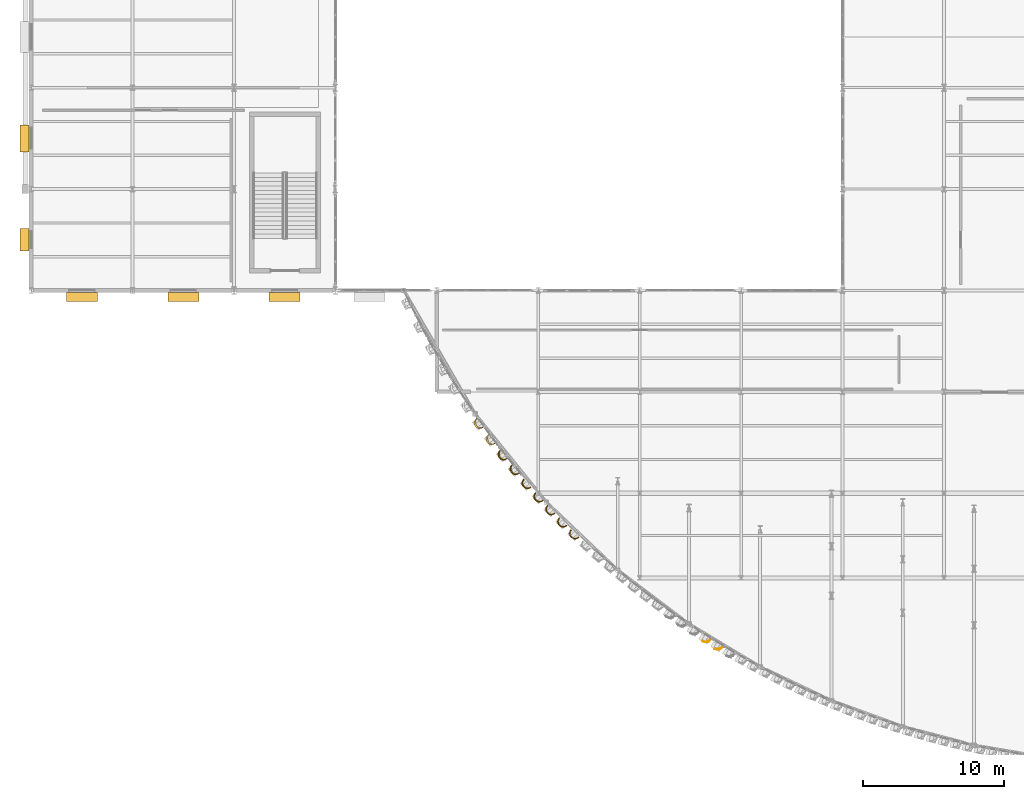
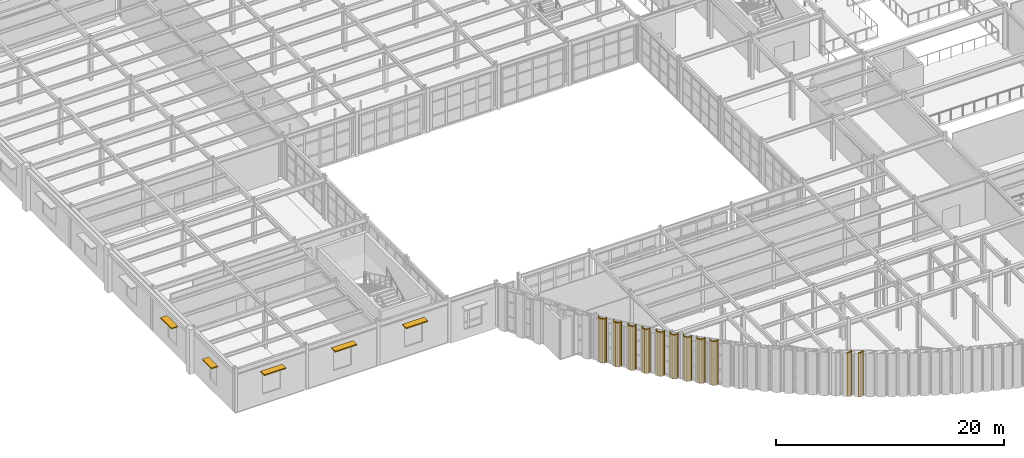
# One storey, part 107 of 121: 11 coverings, 5 shading devices.
"""IFC4 building model written with IfcOpenShell, lengths in metres."""

from ifc_helpers import new_model, si_unit, direction, frame, origin, origin_2d, place, context, subcontext, project, spatial, polyline, rectangle, outline, extrude, material, layer, layer_set, type_object, element, save


model = new_model("IFC4")

# Units and contexts
model_context = context("Model", 3, precision=1e-05, world=origin(), true_north=direction((0.0, 1.0)))
body_context = subcontext(model_context, "Body", "Model", "MODEL_VIEW")
ifc_project = project(units=[si_unit("LENGTHUNIT", "METRE"), si_unit("AREAUNIT", "SQUARE_METRE"), si_unit("VOLUMEUNIT", "CUBIC_METRE"), si_unit("PLANEANGLEUNIT", "RADIAN"), si_unit("MASSUNIT", "GRAM", prefix="KILO")], contexts=[model_context])

# Site, building, storey
site_placement = place(None, origin())
site = spatial("IfcSite", under=ifc_project, at=site_placement, CompositionType="ELEMENT")
building_placement = place(site_placement, origin())
building = spatial("IfcBuilding", under=site, at=building_placement, Name="Solvadek Multi-Sports Hall", CompositionType="ELEMENT")
storey_placement = place(building_placement, frame((0.0, 0.0, 4.800048828125)))
storey = spatial("IfcBuildingStorey", under=building, at=storey_placement, Name="L01", CompositionType="ELEMENT", Elevation=4.800048828125)

# Coverings
ifc_material = material(Name="Perforated champagne-bronze anodised aluminium", Category="aluminium")
ifc_layer = layer(ifc_material, 0.06494140625, Name="Perforated champagne-bronze anodised aluminium")
ifc_layer_set = layer_set([ifc_layer], Name="Perforated champagne-bronze anodised aluminium")
covering_type = type_object("IfcCoveringType", Name="ENV-COV-FLUTED", PredefinedType="CLADDING", material=ifc_layer_set)
covering_1_placement = place(storey_placement, frame((0.0, 0.0, 0.010009765625)))
element("IfcCovering", 1, at=covering_1_placement, inside=storey, type_object=covering_type, Name="L01 Perforated Bronze Half-Cylinder Fluted Shell #13", PredefinedType="CLADDING", context=body_context, shape_type="SweptSolid", body=[
    extrude(outline(polyline([(32.099609375, 10.670654296875), (31.954833984375, 10.602783203125), (31.794921875, 10.59521484375), (31.64453125, 10.649658203125), (31.5263671875, 10.757568359375), (31.45849609375, 10.90234375), (31.450927734375, 11.06201171875), (31.50537109375, 11.212646484375), (31.61328125, 11.330810546875), (31.65185546875, 11.2783203125), (31.589111328125, 11.178955078125), (31.56689453125, 11.052490234375), (31.589111328125, 10.91796875), (31.65185546875, 10.7958984375), (31.74560546875, 10.705322265625), (31.8564453125, 10.65966796875), (31.96728515625, 10.665771484375), (32.06103515625, 10.722900390625), (32.099609375, 10.670654296875)])), origin(), (0.0, 0.0, 1.0), 4.77001953125),
])
covering_2_placement = place(storey_placement, frame((0.0, 0.0, 0.010009765625)))
element("IfcCovering", 2, at=covering_2_placement, inside=storey, type_object=covering_type, Name="L01 Perforated Bronze Half-Cylinder Fluted Shell #14", PredefinedType="CLADDING", context=body_context, shape_type="SweptSolid", body=[
    extrude(outline(polyline([(32.943115234375, 9.52587890625), (32.798095703125, 9.4580078125), (32.638427734375, 9.450439453125), (32.488037109375, 9.5048828125), (32.369873046875, 9.61279296875), (32.3017578125, 9.757568359375), (32.29443359375, 9.917236328125), (32.348876953125, 10.06787109375), (32.456787109375, 10.18603515625), (32.4951171875, 10.133544921875), (32.4326171875, 10.0341796875), (32.410400390625, 9.90771484375), (32.4326171875, 9.773193359375), (32.4951171875, 9.651123046875), (32.589111328125, 9.560546875), (32.699951171875, 9.514892578125), (32.810546875, 9.52099609375), (32.904541015625, 9.578125), (32.943115234375, 9.52587890625)])), origin(), (0.0, 0.0, 1.0), 4.77001953125),
])
covering_3_placement = place(storey_placement, frame((0.0, 0.0, 0.010009765625)))
element("IfcCovering", 3, at=covering_3_placement, inside=storey, type_object=covering_type, Name="L01 Perforated Bronze Half-Cylinder Fluted Shell #17", PredefinedType="CLADDING", context=body_context, shape_type="SweptSolid", body=[
    extrude(outline(polyline([(33.8046875, 8.442626953125), (33.663330078125, 8.367919921875), (33.504150390625, 8.35302734375), (33.351318359375, 8.400146484375), (33.22802734375, 8.502197265625), (33.1533203125, 8.643798828125), (33.138427734375, 8.802978515625), (33.185546875, 8.955810546875), (33.28759765625, 9.0791015625), (33.32861328125, 9.028564453125), (33.261962890625, 8.9248046875), (33.238525390625, 8.79638671875), (33.261962890625, 8.662353515625), (33.32861328125, 8.543212890625), (33.428466796875, 8.45751953125), (33.546142578125, 8.417724609375), (33.6640625, 8.43017578125), (33.763916015625, 8.4931640625), (33.8046875, 8.442626953125)])), origin(), (0.0, 0.0, 1.0), 4.77001953125),
])
covering_4_placement = place(storey_placement, frame((0.0, 0.0, 0.010009765625)))
element("IfcCovering", 4, at=covering_4_placement, inside=storey, type_object=covering_type, Name="L01 Perforated Bronze Half-Cylinder Fluted Shell #18", PredefinedType="CLADDING", context=body_context, shape_type="SweptSolid", body=[
    extrude(outline(polyline([(34.648193359375, 7.40478515625), (34.506591796875, 7.330078125), (34.347412109375, 7.315185546875), (34.194580078125, 7.3623046875), (34.0712890625, 7.464599609375), (33.99658203125, 7.60595703125), (33.981689453125, 7.76513671875), (34.02880859375, 7.91796875), (34.131103515625, 8.041259765625), (34.172119140625, 7.99072265625), (34.105224609375, 7.88720703125), (34.081787109375, 7.758544921875), (34.105224609375, 7.62451171875), (34.172119140625, 7.50537109375), (34.271728515625, 7.419677734375), (34.3896484375, 7.3798828125), (34.50732421875, 7.392333984375), (34.607177734375, 7.455322265625), (34.648193359375, 7.40478515625)])), origin(), (0.0, 0.0, 1.0), 4.77001953125),
])
covering_5_placement = place(storey_placement, frame((0.0, 0.0, 0.010009765625)))
element("IfcCovering", 5, at=covering_5_placement, inside=storey, type_object=covering_type, Name="L01 Perforated Bronze Half-Cylinder Fluted Shell #21", PredefinedType="CLADDING", context=body_context, shape_type="SweptSolid", body=[
    extrude(outline(polyline([(35.508544921875, 6.42041015625), (35.37060546875, 6.339599609375), (35.212158203125, 6.3173828125), (35.05712890625, 6.35791015625), (34.9296875, 6.4541015625), (34.8486328125, 6.59228515625), (34.82666015625, 6.750732421875), (34.866943359375, 6.905517578125), (34.96337890625, 7.033203125), (35.006591796875, 6.984619140625), (34.936279296875, 6.877197265625), (34.91162109375, 6.746826171875), (34.936279296875, 6.613525390625), (35.006591796875, 6.49755859375), (35.11181640625, 6.416259765625), (35.23583984375, 6.38232421875), (35.360107421875, 6.40087890625), (35.46533203125, 6.468994140625), (35.508544921875, 6.42041015625)])), origin(), (0.0, 0.0, 1.0), 4.77001953125),
])
covering_6_placement = place(storey_placement, frame((0.0, 0.0, 0.010009765625)))
element("IfcCovering", 6, at=covering_6_placement, inside=storey, type_object=covering_type, Name="L01 Perforated Bronze Half-Cylinder Fluted Shell #22", PredefinedType="CLADDING", context=body_context, shape_type="SweptSolid", body=[
    extrude(outline(polyline([(36.351806640625, 5.47265625), (36.214111328125, 5.3916015625), (36.055419921875, 5.36962890625), (35.900634765625, 5.409912109375), (35.773193359375, 5.50634765625), (35.692138671875, 5.644287109375), (35.670166015625, 5.802734375), (35.710205078125, 5.95751953125), (35.806884765625, 6.085205078125), (35.85009765625, 6.03662109375), (35.77978515625, 5.92919921875), (35.7548828125, 5.799072265625), (35.77978515625, 5.665771484375), (35.85009765625, 5.549560546875), (35.955078125, 5.468505859375), (36.079345703125, 5.4345703125), (36.20361328125, 5.453125), (36.30859375, 5.521240234375), (36.351806640625, 5.47265625)])), origin(), (0.0, 0.0, 1.0), 4.77001953125),
])
covering_7_placement = place(storey_placement, frame((0.0, 0.0, 0.010009765625)))
element("IfcCovering", 7, at=covering_7_placement, inside=storey, type_object=covering_type, Name="L01 Perforated Bronze Half-Cylinder Fluted Shell #25", PredefinedType="CLADDING", context=body_context, shape_type="SweptSolid", body=[
    extrude(outline(polyline([(37.211181640625, 4.572509765625), (37.07666015625, 4.485595703125), (36.919189453125, 4.456787109375), (36.762939453125, 4.490478515625), (36.63134765625, 4.58154296875), (36.54443359375, 4.7158203125), (36.515869140625, 4.873291015625), (36.54931640625, 5.029541015625), (36.640380859375, 5.1611328125), (36.685546875, 5.114501953125), (36.612060546875, 5.00390625), (36.586181640625, 4.872314453125), (36.612060546875, 4.73974609375), (36.685546875, 4.626708984375), (36.7958984375, 4.55029296875), (36.92578125, 4.52197265625), (37.0556640625, 4.546142578125), (37.165771484375, 4.619140625), (37.211181640625, 4.572509765625)])), origin(), (0.0, 0.0, 1.0), 4.77001953125),
])
covering_8_placement = place(storey_placement, frame((0.0, 0.0, 0.010009765625)))
element("IfcCovering", 8, at=covering_8_placement, inside=storey, type_object=covering_type, Name="L01 Perforated Bronze Half-Cylinder Fluted Shell #26", PredefinedType="CLADDING", context=body_context, shape_type="SweptSolid", body=[
    extrude(outline(polyline([(38.054443359375, 3.702392578125), (37.920166015625, 3.615478515625), (37.7626953125, 3.586669921875), (37.6064453125, 3.620361328125), (37.474853515625, 3.711181640625), (37.387939453125, 3.845703125), (37.359130859375, 4.003173828125), (37.392822265625, 4.159423828125), (37.48388671875, 4.291015625), (37.529052734375, 4.244384765625), (37.455322265625, 4.1337890625), (37.4296875, 4.001953125), (37.455322265625, 3.86962890625), (37.529052734375, 3.756591796875), (37.63916015625, 3.679931640625), (37.769287109375, 3.651611328125), (37.899169921875, 3.67578125), (38.00927734375, 3.7490234375), (38.054443359375, 3.702392578125)])), origin(), (0.0, 0.0, 1.0), 4.77001953125),
])
covering_9_placement = place(storey_placement, frame((0.0, 0.0, 0.010009765625)))
element("IfcCovering", 9, at=covering_9_placement, inside=storey, type_object=covering_type, Name="L01 Perforated Bronze Half-Cylinder Fluted Shell #29", PredefinedType="CLADDING", context=body_context, shape_type="SweptSolid", body=[
    extrude(outline(polyline([(38.91259765625, 2.875244140625), (38.781982421875, 2.783203125), (38.625732421875, 2.747802734375), (38.46826171875, 2.775146484375), (38.3330078125, 2.860595703125), (38.24072265625, 2.991455078125), (38.20556640625, 3.1474609375), (38.23291015625, 3.30517578125), (38.318359375, 3.440185546875), (38.365478515625, 3.3955078125), (38.288818359375, 3.28173828125), (38.261962890625, 3.149169921875), (38.288818359375, 3.017822265625), (38.365478515625, 2.90771484375), (38.480224609375, 2.835693359375), (38.615478515625, 2.81298828125), (38.750732421875, 2.842529296875), (38.865478515625, 2.920166015625), (38.91259765625, 2.875244140625)])), origin(), (0.0, 0.0, 1.0), 4.77001953125),
])
covering_10_placement = place(storey_placement, frame((0.0, 0.0, 0.010009765625)))
element("IfcCovering", 10, at=covering_10_placement, inside=storey, type_object=covering_type, Name="L01 Perforated Bronze Half-Cylinder Fluted Shell #50", PredefinedType="CLADDING", context=body_context, shape_type="SweptSolid", body=[
    extrude(outline(polyline([(48.251708984375, -4.405517578125), (48.14013671875, -4.520263671875), (47.993408203125, -4.58349609375), (47.833251953125, -4.585693359375), (47.684814453125, -4.526611328125), (47.570068359375, -4.4150390625), (47.5068359375, -4.26806640625), (47.504638671875, -4.108154296875), (47.563720703125, -3.95947265625), (47.618408203125, -3.994873046875), (47.529541015625, -4.119873046875), (47.498291015625, -4.25439453125), (47.529541015625, -4.378173828125), (47.618408203125, -4.471923828125), (47.751220703125, -4.521728515625), (47.90771484375, -4.52001953125), (48.064453125, -4.466796875), (48.197265625, -4.370361328125), (48.251708984375, -4.405517578125)])), origin(), (0.0, 0.0, 1.0), 4.77001953125),
])
covering_11_placement = place(storey_placement, frame((0.0, 0.0, 0.010009765625)))
element("IfcCovering", 11, at=covering_11_placement, inside=storey, type_object=covering_type, Name="L01 Perforated Bronze Half-Cylinder Fluted Shell #53", PredefinedType="CLADDING", context=body_context, shape_type="SweptSolid", body=[
    extrude(outline(polyline([(49.10546875, -4.92236328125), (48.997802734375, -5.040771484375), (48.853271484375, -5.109130859375), (48.693603515625, -5.11669921875), (48.54296875, -5.062744140625), (48.424560546875, -4.955078125), (48.356201171875, -4.810302734375), (48.3486328125, -4.650634765625), (48.402587890625, -4.5), (48.45849609375, -4.533447265625), (48.36767578125, -4.66015625), (48.3359375, -4.794677734375), (48.36767578125, -4.91650390625), (48.45849609375, -5.0068359375), (48.593994140625, -5.052490234375), (48.754150390625, -5.0458984375), (48.9140625, -4.988525390625), (49.0498046875, -4.888916015625), (49.10546875, -4.92236328125)])), origin(), (0.0, 0.0, 1.0), 4.77001953125),
])

# Shading devices
shading_device_type = type_object("IfcShadingDeviceType", Name="ENV-SHD-CHAJJA2", PredefinedType="JALOUSIE", material=ifc_material)
shading_device_1_placement = place(storey_placement, frame((-0.469482421875, 24.0, 3.119873046875), z_axis=(0.0, 0.0, 1.0), x_axis=(0.0, 1.0, 0.0)))
element("IfcShadingDevice", 12, at=shading_device_1_placement, inside=storey, type_object=shading_device_type, Name="L01 Chajja Solar Shading Hood #2", PredefinedType="JALOUSIE", context=body_context, shape_type="SweptSolid", body=[
    extrude(rectangle(XDim=1.60009765625, YDim=0.639892578125, at=origin_2d()), origin(), (0.0, 0.0, 1.0), 0.1201171875),
])
shading_device_2_placement = place(storey_placement, frame((-0.469482421875, 31.199951171875, 3.119873046875), z_axis=(0.0, 0.0, 1.0), x_axis=(0.0, 1.0, 0.0)))
element("IfcShadingDevice", 13, at=shading_device_2_placement, inside=storey, type_object=shading_device_type, Name="L01 Chajja Solar Shading Hood #4", PredefinedType="JALOUSIE", context=body_context, shape_type="SweptSolid", body=[
    extrude(rectangle(XDim=1.89990234375, YDim=0.639892578125, at=origin_2d()), origin(), (0.0, 0.0, 1.0), 0.1201171875),
])
for number, where, z_axis, x_axis, name in (
    (14, (3.60009765625, 19.930419921875, 3.419921875), (0.0, 0.0, 1.0), (1.0, 0.0, 0.0), "L01 Chajja Solar Shading Hood #48"),
    (15, (10.800048828125, 19.930419921875, 3.419921875), (0.0, 0.0, 1.0), (1.0, 0.0, 0.0), "L01 Chajja Solar Shading Hood #49"),
    (16, (18.0, 19.930419921875, 3.419921875), (0.0, 0.0, 1.0), (1.0, 0.0, 0.0), "L01 Chajja Solar Shading Hood #51"),
):
    element("IfcShadingDevice", number, at=place(storey_placement, frame(where, z_axis=z_axis, x_axis=x_axis)), inside=storey, type_object=shading_device_type, Name=name, PredefinedType="JALOUSIE", context=body_context, shape_type="SweptSolid", body=[
        extrude(rectangle(XDim=2.199951171875, YDim=0.639892578125, at=origin_2d()), origin(), (0.0, 0.0, 1.0), 0.1201171875),
    ])

save(model, "model.ifc")
